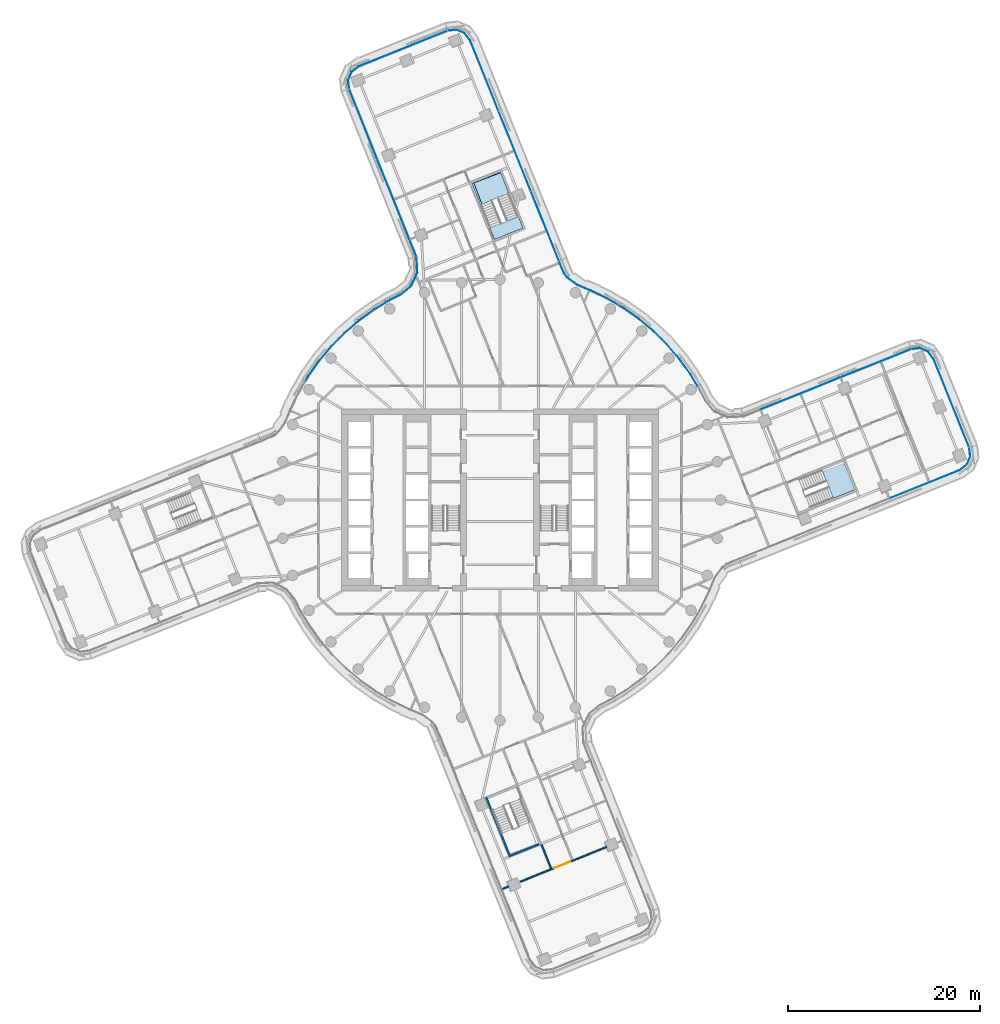
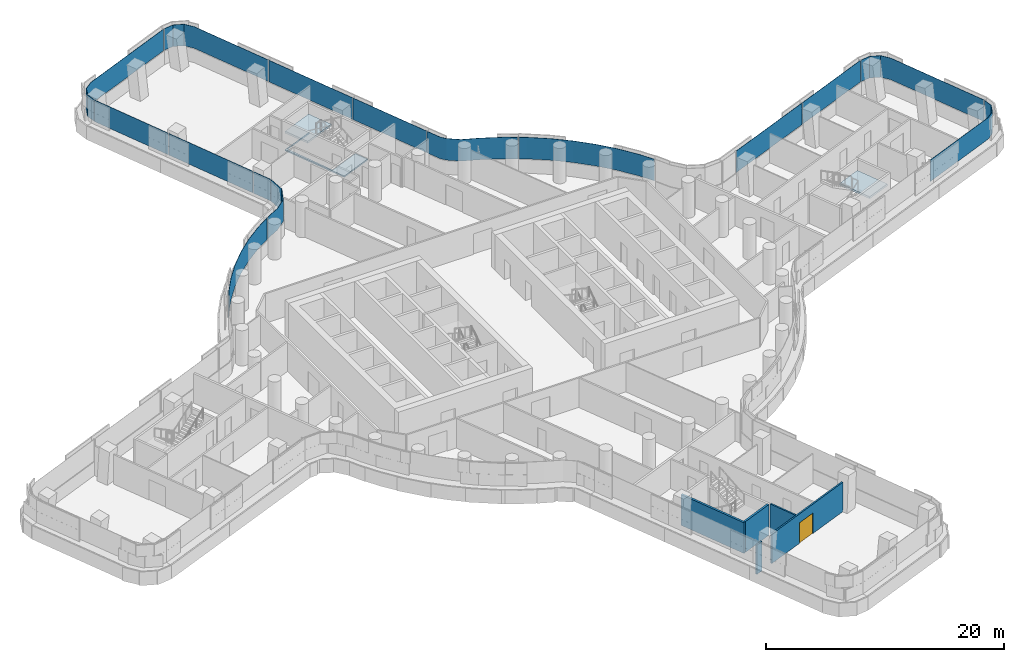
# One storey, part 19 of 32: 15 plates, 5 walls, 3 slabs, 1 door, 1 opening, 10 elements without a shape of their own.
"""IFC4 building model written with IfcOpenShell, lengths in metres."""

from ifc_helpers import new_model, si_unit, direction, frame, frame_2d, origin, place, context, subcontext, project, spatial, polyline, rectangle, outline, extrude, material, layer, layer_set, type_object, element, fill, aggregate, save


model = new_model("IFC4")

# Units and contexts
model_context = context("Model", 3, precision=1e-05, world=origin(), true_north=direction((0.0, 1.0)))
body_context = subcontext(model_context, "Body", "Model", "MODEL_VIEW")
ifc_project = project(units=[si_unit("LENGTHUNIT", "METRE"), si_unit("AREAUNIT", "SQUARE_METRE"), si_unit("VOLUMEUNIT", "CUBIC_METRE"), si_unit("PLANEANGLEUNIT", "RADIAN"), si_unit("MASSUNIT", "GRAM", prefix="KILO")], contexts=[model_context])

# Site, building, storey
site_placement = place(None, origin())
site = spatial("IfcSite", under=ifc_project, at=site_placement, CompositionType="ELEMENT")
building_placement = place(site_placement, origin())
building = spatial("IfcBuilding", under=site, at=building_placement, Name="Tamarind Cross Interchange Tower", CompositionType="ELEMENT")
storey_placement = place(building_placement, frame((0.0, 0.0, 113.5)))
storey = spatial("IfcBuildingStorey", under=building, at=storey_placement, Name="L27", CompositionType="ELEMENT", Elevation=113.5)

# Slab
ifc_material_1 = material(Name="Concrete C35", Category="concrete")
ifc_layer_1 = layer(ifc_material_1, 0.139892578125)
ifc_layer_set_1 = layer_set([ifc_layer_1], Name="Concrete C35")
slab_type_1 = type_object("IfcSlabType", Name="Composite slab 140 Concrete C35", PredefinedType="FLOOR", material=ifc_layer_set_1)
slab_1_placement = place(storey_placement, frame((0.0, 0.0, -0.139892578125)))
element("IfcSlab", 1, at=slab_1_placement, inside=storey, type_object=slab_type_1, Name="Floor slab L27", PredefinedType="FLOOR", context=body_context, shape_type="SweptSolid", body=[
    extrude(outline(polyline([(-0.569580078125, 27.160888671875), (2.398681640625, 28.356689453125), (1.939208984375, 29.496826171875), (1.908447265625, 29.573486328125), (-0.952880859375, 28.4208984375), (-2.722412109375, 33.05615234375), (0.0751953125, 34.124267578125), (0.044677734375, 34.2001953125), (-2.923583984375, 33.004638671875), (-0.569580078125, 27.160888671875)])), origin(), (0.0, 0.0, 1.0), 0.139892578125),
])

# Stair, slab
ifc_material_2 = material(Name="Exit stair")
stair_type = type_object("IfcStairType", Name="Exit stair", PredefinedType="HALF_TURN_STAIR", material=ifc_material_2)
stair_1_placement = place(storey_placement, origin())
stair_1 = element("IfcStair", 2, at=stair_1_placement, inside=storey, type_object=stair_type, Name="L27 exit stair ST3", PredefinedType="HALF_TURN_STAIR")
ifc_material_3 = material(Name="Concrete C40", Category="concrete")
ifc_layer_2 = layer(ifc_material_3, 0.199951171875)
ifc_layer_set_2 = layer_set([ifc_layer_2], Name="Concrete C40")
slab_type_2 = type_object("IfcSlabType", Name="Stair landing", PredefinedType="LANDING", material=ifc_layer_set_2)
slab_2_placement = place(storey_placement, frame((0.0, 0.0, 1.675048828125)))
slab_2 = element("IfcSlab", 3, at=slab_2_placement, type_object=slab_type_2, Name="ST3 landing 1", PredefinedType="LANDING", context=body_context, shape_type="SweptSolid", body=[
    extrude(outline(polyline([(34.745849609375, 0.175048828125), (36.983154296875, 1.076416015625), (35.787353515625, 4.044677734375), (33.550048828125, 3.143310546875), (34.745849609375, 0.175048828125)])), origin(), (0.0, 0.0, 1.0), 0.199951171875),
])
aggregate(stair_1, [slab_2])

stair_2_placement = place(storey_placement, origin())
stair_2 = element("IfcStair", 4, at=stair_2_placement, inside=storey, type_object=stair_type, Name="L27 exit stair ST4", PredefinedType="HALF_TURN_STAIR")
slab_3_placement = place(storey_placement, frame((0.0, 0.0, 1.675048828125)))
slab_3 = element("IfcSlab", 5, at=slab_3_placement, type_object=slab_type_2, Name="ST4 landing 1", PredefinedType="LANDING", context=body_context, shape_type="SweptSolid", body=[
    extrude(outline(polyline([(0.94580078125, 31.963134765625), (0.044677734375, 34.200439453125), (-2.923583984375, 33.004638671875), (-2.0224609375, 30.767333984375), (0.94580078125, 31.963134765625)])), origin(), (0.0, 0.0, 1.0), 0.199951171875),
])
aggregate(stair_2, [slab_3])

# Curtain wall, plate
ifc_material_4 = material(Name="Aluminium 6063-T6", Category="aluminium")
ifc_layer_3 = layer(ifc_material_4, 0.159912109375)
ifc_layer_set_3 = layer_set([ifc_layer_3], Name="Aluminium 6063-T6")
curtain_wall_type = type_object("IfcCurtainWallType", Name="Office curtain wall, 9.0 m bays", PredefinedType="NOTDEFINED", material=ifc_layer_set_3)
curtain_wall_1_placement = place(storey_placement, origin())
curtain_wall_1 = element("IfcCurtainWall", 6, at=curtain_wall_1_placement, inside=storey, type_object=curtain_wall_type, Name="CWS-L27-07", PredefinedType="NOTDEFINED")
ifc_material_5 = material(Name="Laminated low-e glass 8+1.52+8", Category="glass")
ifc_layer_4 = layer(ifc_material_5, 0.028076171875)
ifc_layer_set_4 = layer_set([ifc_layer_4], Name="Laminated low-e glass 8+1.52+8")
plate_type = type_object("IfcPlateType", Name="Vision panel CW1", PredefinedType="CURTAIN_PANEL", material=ifc_layer_set_4)
plate_1_placement = place(storey_placement, frame((0.0, 0.0, 1.39990234375)))
plate_1 = element("IfcPlate", 7, at=plate_1_placement, type_object=plate_type, Name="CWP-L27-07-02", PredefinedType="CURTAIN_PANEL", context=body_context, shape_type="SweptSolid", body=[
    extrude(outline(polyline([(40.59375, 0.174072265625), (47.9033203125, 3.11865234375), (48.662353515625, 3.689453125), (49.02294921875, 4.536376953125), (48.91162109375, 5.451416015625), (48.939453125, 5.45458984375), (49.0517578125, 4.532470703125), (48.685302734375, 3.671630859375), (47.917236328125, 3.093994140625), (40.60400390625, 0.148193359375), (40.59375, 0.174072265625)])), origin(), (0.0, 0.0, 1.0), 2.210205078125),
])
aggregate(curtain_wall_1, [plate_1])

curtain_wall_2_placement = place(storey_placement, origin())
curtain_wall_2 = element("IfcCurtainWall", 8, at=curtain_wall_2_placement, inside=storey, type_object=curtain_wall_type, Name="CWS-L27-08", PredefinedType="NOTDEFINED")
plate_2_placement = place(storey_placement, frame((0.0, 0.0, 1.39990234375)))
plate_2 = element("IfcPlate", 9, at=plate_2_placement, type_object=plate_type, Name="CWP-L27-08-00", PredefinedType="CURTAIN_PANEL", context=body_context, shape_type="SweptSolid", body=[
    extrude(outline(polyline([(48.897705078125, 5.50537109375), (45.19287109375, 14.70263671875), (44.6220703125, 15.461669921875), (43.77490234375, 15.822265625), (42.85986328125, 15.7109375), (42.8564453125, 15.73876953125), (43.779052734375, 15.85107421875), (44.639892578125, 15.484619140625), (45.21728515625, 14.716552734375), (48.923583984375, 5.515869140625), (48.897705078125, 5.50537109375)])), origin(), (0.0, 0.0, 1.0), 2.210205078125),
])
aggregate(curtain_wall_2, [plate_2])

# Curtain wall, plates
curtain_wall_3_placement = place(storey_placement, origin())
curtain_wall_3 = element("IfcCurtainWall", 10, at=curtain_wall_3_placement, inside=storey, type_object=curtain_wall_type, Name="CWS-L27-09", PredefinedType="NOTDEFINED")
plate_3_placement = place(storey_placement, frame((0.0, 0.0, 1.39990234375)))
plate_3 = element("IfcPlate", 11, at=plate_3_placement, type_object=plate_type, Name="CWP-L27-09-00", PredefinedType="CURTAIN_PANEL", context=body_context, shape_type="SweptSolid", body=[
    extrude(outline(polyline([(42.805908203125, 15.697021484375), (35.507080078125, 12.77099609375), (35.496826171875, 12.796875), (42.79541015625, 15.72314453125), (42.805908203125, 15.697021484375)])), origin(), (0.0, 0.0, 1.0), 2.210205078125),
])
plate_4_placement = place(storey_placement, frame((0.0, 0.0, 1.39990234375)))
plate_4 = element("IfcPlate", 12, at=plate_4_placement, type_object=plate_type, Name="CWP-L27-09-01", PredefinedType="CURTAIN_PANEL", context=body_context, shape_type="SweptSolid", body=[
    extrude(outline(polyline([(35.451416015625, 12.74853515625), (27.150634765625, 9.420654296875), (27.140380859375, 9.44677734375), (35.441162109375, 12.774658203125), (35.451416015625, 12.74853515625)])), origin(), (0.0, 0.0, 1.0), 2.210205078125),
])
aggregate(curtain_wall_3, [plate_3, plate_4])

curtain_wall_4_placement = place(storey_placement, origin())
curtain_wall_4 = element("IfcCurtainWall", 13, at=curtain_wall_4_placement, inside=storey, type_object=curtain_wall_type, Name="CWS-L27-10", PredefinedType="NOTDEFINED")
plate_5_placement = place(storey_placement, frame((0.0, 0.0, 1.39990234375)))
plate_5 = element("IfcPlate", 14, at=plate_5_placement, type_object=plate_type, Name="CWP-L27-10-01", PredefinedType="CURTAIN_PANEL", context=body_context, shape_type="SweptSolid", body=[
    extrude(outline(polyline([(20.6123046875, 11.8310546875), (19.85302734375, 13.093017578125), (18.7041015625, 14.687744140625), (17.42724609375, 16.18212890625), (16.031494140625, 17.56591796875), (14.526123046875, 18.829833984375), (12.921630859375, 19.965087890625), (12.384521484375, 20.281982421875), (12.398681640625, 20.30615234375), (12.936767578125, 19.988525390625), (14.543212890625, 18.85205078125), (16.05029296875, 17.586669921875), (17.44775390625, 16.201171875), (18.72607421875, 14.705078125), (19.87646484375, 13.1083984375), (20.636474609375, 11.845703125), (20.6123046875, 11.8310546875)])), origin(), (0.0, 0.0, 1.0), 2.210205078125),
])
plate_6_placement = place(storey_placement, frame((0.0, 0.0, 1.39990234375)))
plate_6 = element("IfcPlate", 15, at=plate_6_placement, type_object=plate_type, Name="CWP-L27-10-02", PredefinedType="CURTAIN_PANEL", context=body_context, shape_type="SweptSolid", body=[
    extrude(outline(polyline([(12.332763671875, 20.3125), (11.228759765625, 20.9638671875), (9.45654296875, 21.82080078125), (8.020751953125, 22.420166015625), (7.02197265625, 23.166015625), (6.665771484375, 23.625), (6.155029296875, 24.8818359375), (6.180908203125, 24.892333984375), (6.690185546875, 23.63916015625), (7.041748046875, 23.186279296875), (8.03466796875, 22.44482421875), (9.468017578125, 21.846435546875), (11.241943359375, 20.98876953125), (12.34716796875, 20.336669921875), (12.332763671875, 20.3125)])), origin(), (0.0, 0.0, 1.0), 2.210205078125),
])
aggregate(curtain_wall_4, [plate_5, plate_6])

curtain_wall_5_placement = place(storey_placement, origin())
curtain_wall_5 = element("IfcCurtainWall", 16, at=curtain_wall_5_placement, inside=storey, type_object=curtain_wall_type, Name="CWS-L27-11", PredefinedType="NOTDEFINED")
plate_7_placement = place(storey_placement, frame((0.0, 0.0, 1.39990234375)))
plate_7 = element("IfcPlate", 17, at=plate_7_placement, type_object=plate_type, Name="CWP-L27-11-00", PredefinedType="CURTAIN_PANEL", context=body_context, shape_type="SweptSolid", body=[
    extrude(outline(polyline([(6.132568359375, 24.9375), (3.20751953125, 32.198486328125), (3.233642578125, 32.208984375), (6.158447265625, 24.947998046875), (6.132568359375, 24.9375)])), origin(), (0.0, 0.0, 1.0), 2.210205078125),
])
plate_8_placement = place(storey_placement, frame((0.0, 0.0, 1.39990234375)))
plate_8 = element("IfcPlate", 18, at=plate_8_placement, type_object=plate_type, Name="CWP-L27-11-01", PredefinedType="CURTAIN_PANEL", context=body_context, shape_type="SweptSolid", body=[
    extrude(outline(polyline([(3.185302734375, 32.254150390625), (-0.151611328125, 40.5380859375), (-0.125732421875, 40.54833984375), (3.211181640625, 32.2646484375), (3.185302734375, 32.254150390625)])), origin(), (0.0, 0.0, 1.0), 2.210205078125),
])
plate_9_placement = place(storey_placement, frame((0.0, 0.0, 1.39990234375)))
plate_9 = element("IfcPlate", 19, at=plate_9_placement, type_object=plate_type, Name="CWP-L27-11-02", PredefinedType="CURTAIN_PANEL", context=body_context, shape_type="SweptSolid", body=[
    extrude(outline(polyline([(-0.174072265625, 40.59375), (-3.11865234375, 47.9033203125), (-3.689453125, 48.662353515625), (-4.536376953125, 49.02294921875), (-5.451416015625, 48.91162109375), (-5.45458984375, 48.939453125), (-4.532470703125, 49.0517578125), (-3.671630859375, 48.685302734375), (-3.093994140625, 47.917236328125), (-0.148193359375, 40.60400390625), (-0.174072265625, 40.59375)])), origin(), (0.0, 0.0, 1.0), 2.210205078125),
])
aggregate(curtain_wall_5, [plate_7, plate_8, plate_9])

# Curtain wall, plate
curtain_wall_6_placement = place(storey_placement, origin())
curtain_wall_6 = element("IfcCurtainWall", 20, at=curtain_wall_6_placement, inside=storey, type_object=curtain_wall_type, Name="CWS-L27-12", PredefinedType="NOTDEFINED")
plate_10_placement = place(storey_placement, frame((0.0, 0.0, 1.39990234375)))
plate_10 = element("IfcPlate", 21, at=plate_10_placement, type_object=plate_type, Name="CWP-L27-12-00", PredefinedType="CURTAIN_PANEL", context=body_context, shape_type="SweptSolid", body=[
    extrude(outline(polyline([(-5.50537109375, 48.897705078125), (-14.70263671875, 45.19287109375), (-15.461669921875, 44.6220703125), (-15.822265625, 43.77490234375), (-15.7109375, 42.85986328125), (-15.73876953125, 42.8564453125), (-15.85107421875, 43.779052734375), (-15.484619140625, 44.639892578125), (-14.716552734375, 45.21728515625), (-5.515869140625, 48.923583984375), (-5.50537109375, 48.897705078125)])), origin(), (0.0, 0.0, 1.0), 2.210205078125),
])
aggregate(curtain_wall_6, [plate_10])

# Curtain wall, plates
curtain_wall_7_placement = place(storey_placement, origin())
curtain_wall_7 = element("IfcCurtainWall", 22, at=curtain_wall_7_placement, inside=storey, type_object=curtain_wall_type, Name="CWS-L27-13", PredefinedType="NOTDEFINED")
plate_11_placement = place(storey_placement, frame((0.0, 0.0, 1.39990234375)))
plate_11 = element("IfcPlate", 23, at=plate_11_placement, type_object=plate_type, Name="CWP-L27-13-00", PredefinedType="CURTAIN_PANEL", context=body_context, shape_type="SweptSolid", body=[
    extrude(outline(polyline([(-15.697021484375, 42.805908203125), (-12.77099609375, 35.507080078125), (-12.796875, 35.496826171875), (-15.72314453125, 42.79541015625), (-15.697021484375, 42.805908203125)])), origin(), (0.0, 0.0, 1.0), 2.210205078125),
])
plate_12_placement = place(storey_placement, frame((0.0, 0.0, 1.39990234375)))
plate_12 = element("IfcPlate", 24, at=plate_12_placement, type_object=plate_type, Name="CWP-L27-13-01", PredefinedType="CURTAIN_PANEL", context=body_context, shape_type="SweptSolid", body=[
    extrude(outline(polyline([(-12.74853515625, 35.451416015625), (-9.420654296875, 27.150634765625), (-9.44677734375, 27.140380859375), (-12.774658203125, 35.441162109375), (-12.74853515625, 35.451416015625)])), origin(), (0.0, 0.0, 1.0), 2.210205078125),
])
plate_13_placement = place(storey_placement, frame((0.0, 0.0, 1.39990234375)))
plate_13 = element("IfcPlate", 25, at=plate_13_placement, type_object=plate_type, Name="CWP-L27-13-02", PredefinedType="CURTAIN_PANEL", context=body_context, shape_type="SweptSolid", body=[
    extrude(outline(polyline([(-9.3984375, 27.094970703125), (-8.7109375, 25.38037109375), (-8.73681640625, 25.369873046875), (-9.42431640625, 27.084716796875), (-9.3984375, 27.094970703125)])), origin(), (0.0, 0.0, 1.0), 2.210205078125),
])
aggregate(curtain_wall_7, [plate_11, plate_12, plate_13])

curtain_wall_8_placement = place(storey_placement, origin())
curtain_wall_8 = element("IfcCurtainWall", 26, at=curtain_wall_8_placement, inside=storey, type_object=curtain_wall_type, Name="CWS-L27-14", PredefinedType="NOTDEFINED")
plate_14_placement = place(storey_placement, frame((0.0, 0.0, 1.39990234375)))
plate_14 = element("IfcPlate", 27, at=plate_14_placement, type_object=plate_type, Name="CWP-L27-14-00", PredefinedType="CURTAIN_PANEL", context=body_context, shape_type="SweptSolid", body=[
    extrude(outline(polyline([(-8.697021484375, 25.318115234375), (-8.603515625, 23.679443359375), (-9.281494140625, 22.273193359375), (-10.38818359375, 21.375244140625), (-11.408447265625, 20.86669921875), (-11.77978515625, 20.643310546875), (-11.794189453125, 20.667236328125), (-11.421875, 20.891357421875), (-10.4033203125, 21.39892578125), (-9.303955078125, 22.291015625), (-8.6318359375, 23.68505859375), (-8.72509765625, 25.316650390625), (-8.697021484375, 25.318115234375)])), origin(), (0.0, 0.0, 1.0), 2.210205078125),
])
plate_15_placement = place(storey_placement, frame((0.0, 0.0, 1.39990234375)))
plate_15 = element("IfcPlate", 28, at=plate_15_placement, type_object=plate_type, Name="CWP-L27-14-01", PredefinedType="CURTAIN_PANEL", context=body_context, shape_type="SweptSolid", body=[
    extrude(outline(polyline([(-11.8310546875, 20.6123046875), (-13.093017578125, 19.85302734375), (-14.687744140625, 18.7041015625), (-16.18212890625, 17.42724609375), (-17.56591796875, 16.031494140625), (-18.829833984375, 14.526123046875), (-19.965087890625, 12.921630859375), (-20.281982421875, 12.384521484375), (-20.30615234375, 12.398681640625), (-19.988525390625, 12.936767578125), (-18.85205078125, 14.543212890625), (-17.586669921875, 16.05029296875), (-16.201171875, 17.44775390625), (-14.705078125, 18.72607421875), (-13.1083984375, 19.87646484375), (-11.845703125, 20.636474609375), (-11.8310546875, 20.6123046875)])), origin(), (0.0, 0.0, 1.0), 2.210205078125),
])
aggregate(curtain_wall_8, [plate_14, plate_15])

# Walls
ifc_material_6 = material(Name="Gypsum board partition on steel studs", Category="steel")
ifc_layer_5 = layer(ifc_material_6, 0.14990234375)
ifc_layer_set_5 = layer_set([ifc_layer_5], Name="Gypsum board partition on steel studs")
wall_type_1 = type_object("IfcWallType", Name="Partition 150 mm EI 120", PredefinedType="PARTITIONING", material=ifc_layer_set_5)
wall_1_placement = place(storey_placement, frame((4.3203125, -35.934326171875, 0.0), z_axis=(0.0, 0.0, 1.0), x_axis=(0.373678205585, -0.927558407148, 0.0)))
element("IfcWall", 29, at=wall_1_placement, inside=storey, type_object=wall_type_1, Name="Partition L27-020", PredefinedType="PARTITIONING", context=body_context, shape_type="SweptSolid", body=[
    extrude(rectangle(XDim=2.685302734375, YDim=0.14990234375, at=frame_2d((1.3427734375, 0.0))), origin(), (0.0, 0.0, 1.0), 3.010009765625),
])
wall_2_placement = place(storey_placement, frame((0.25, -40.549560546875, 0.0), z_axis=(0.0, 0.0, 1.0), x_axis=(0.927550852203, 0.373696958213, 0.0)))
element("IfcWall", 30, at=wall_2_placement, inside=storey, type_object=wall_type_1, Name="Partition L27-062", PredefinedType="PARTITIONING", context=body_context, shape_type="SweptSolid", body=[
    extrude(rectangle(XDim=0.71142578125, YDim=0.14990234375, at=frame_2d((0.355712890625, 0.0))), origin(), (0.0, 0.0, 1.0), 3.010009765625),
])

# Wall, opening, door
wall_3_placement = place(storey_placement, frame((2.119384765625, -39.796630859375, 0.0), z_axis=(0.0, 0.0, 1.0), x_axis=(0.927592459452, 0.373593668534, 0.0)))
wall_3 = element("IfcWall", 31, at=wall_3_placement, inside=storey, type_object=wall_type_1, Name="Partition L27-063", PredefinedType="PARTITIONING", context=body_context, shape_type="SweptSolid", body=[
    extrude(rectangle(XDim=9.682861328125, YDim=0.14990234375, at=frame_2d((4.84130859375, 0.0))), origin(), (0.0, 0.0, 1.0), 3.010009765625),
])
opening_placement = place(wall_3_placement, frame((3.783935546875, 0.0, 0.0)))
opening = element("IfcOpeningElement", 32, at=opening_placement, cuts=wall_3, Name="Opening D33", PredefinedType="OPENING", context=body_context, shape_type="SweptSolid", body=[
    extrude(rectangle(XDim=1.800048828125, YDim=2.10009765625, at=frame_2d((0.89990234375, 1.050048828125))), frame((0.0, 0.0849609375, 0.0), z_axis=(0.0, -1.0, 0.0), x_axis=(1.0, 0.0, 0.0)), (0.0, 0.0, 1.0), 0.169921875),
])
ifc_material_7 = material(Name="Fire-resisting door set")
door_type = type_object("IfcDoorType", Name="Interior door 1800 x 2100 FD60S", OperationType="DOUBLE_DOOR_SINGLE_SWING", PredefinedType="DOOR", material=ifc_material_7)
door_placement = place(opening_placement, origin())
door = element("IfcDoor", 33, at=door_placement, inside=storey, type_object=door_type, Name="Door D33", OperationType="DOUBLE_DOOR_SINGLE_SWING", OverallHeight=2.10009765625, OverallWidth=1.800048828125, PredefinedType="DOOR", context=body_context, shape_type="SweptSolid", body=[
    extrude(rectangle(XDim=1.800048828125, YDim=2.10009765625, at=frame_2d((0.89990234375, 1.050048828125))), frame((0.0, 0.02490234375, 0.0), z_axis=(0.0, -1.0, 0.0), x_axis=(1.0, 0.0, 0.0)), (0.0, 0.0, 1.0), 0.050048828125),
])
fill(opening, door)

# Walls
ifc_layer_6 = layer(ifc_material_3, 0.199951171875)
ifc_layer_set_6 = layer_set([ifc_layer_6], Name="Concrete C40")
wall_type_2 = type_object("IfcWallType", Name="Stair shaft wall 200 mm Concrete C40", PredefinedType="SHEAR", material=ifc_layer_set_6)
wall_4_placement = place(storey_placement, frame((-1.445068359375, -30.9912109375, -0.139892578125), z_axis=(0.0, 0.0, 1.0), x_axis=(0.373651340775, -0.927569229512, 0.0)))
element("IfcWall", 34, at=wall_4_placement, inside=storey, type_object=wall_type_2, Name="Core wall CWL-L27-ST6-C", PredefinedType="SHEAR", context=body_context, shape_type="SweptSolid", body=[
    extrude(rectangle(XDim=6.699951171875, YDim=0.199951171875, at=frame_2d((3.35009765625, 0.0))), origin(), (0.0, 0.0, 1.0), 3.14990234375),
])
wall_5_placement = place(storey_placement, frame((0.0, 0.0, -0.139892578125)))
element("IfcWall", 35, at=wall_5_placement, inside=storey, type_object=wall_type_2, Name="Core wall CWL-L27-ST6-CF", PredefinedType="SHEAR", context=body_context, shape_type="SweptSolid", body=[
    extrude(outline(polyline([(1.076416015625, -36.98291015625), (1.151123046875, -37.168701171875), (4.119384765625, -35.972900390625), (4.044677734375, -35.787353515625), (1.076416015625, -36.98291015625)])), origin(), (0.0, 0.0, 1.0), 3.14990234375),
])

save(model, "model.ifc")
